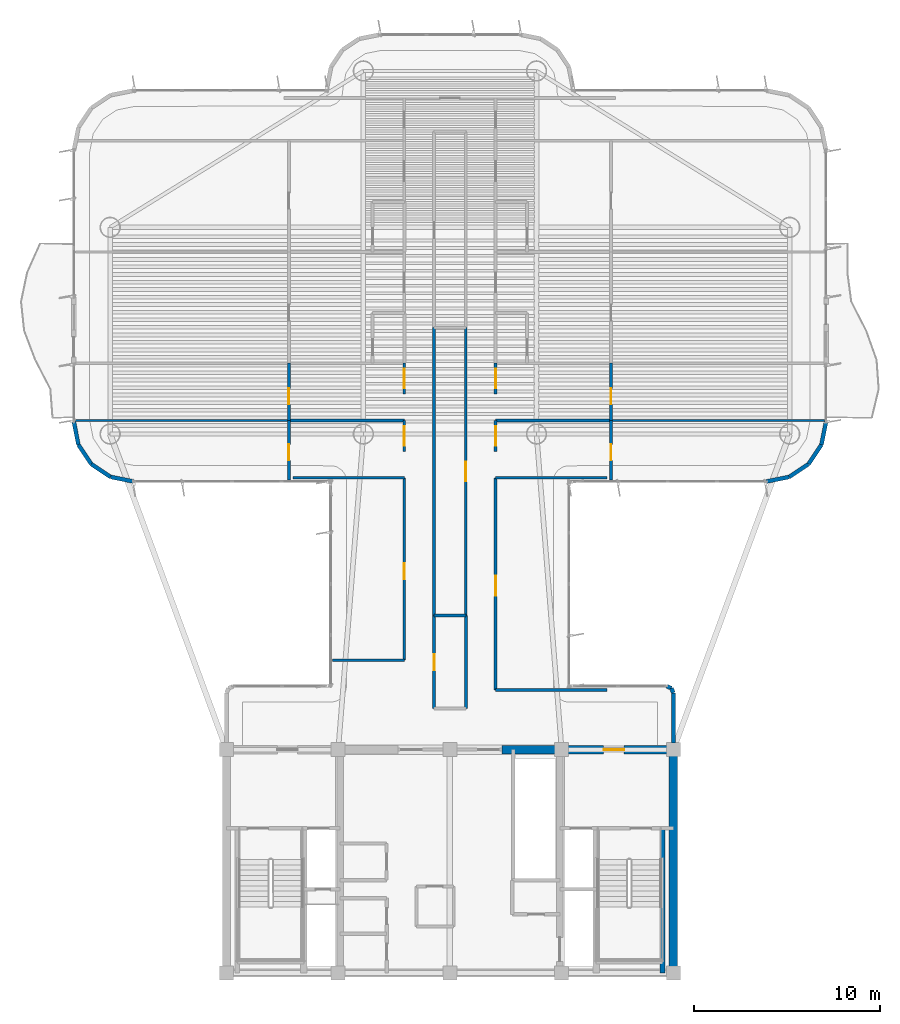
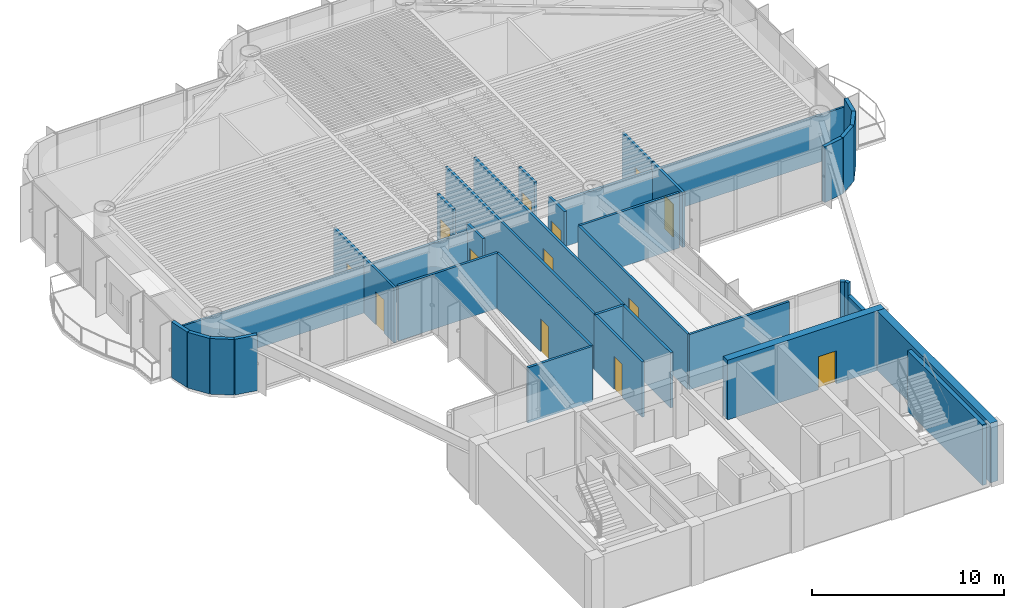
# One storey, part 10 of 15: 37 walls, 13 doors, 13 openings.
"""IFC4 building model written with IfcOpenShell, lengths in metres."""

import ifcopenshell
import ifcopenshell.guid

model = None  # the IFC model being written
_history = None  # IfcOwnerHistory: only IFC2X3 demands one
_inside = {}  # id of a spatial element -> (the spatial element, [elements in it])
_under = {}  # id of a project, library or spatial element -> (it, [spatial elements below it])
_declared = {}  # id of a project -> (the project, [libraries it declares])
_typed = {}  # id of a type object -> (the type object, [elements of that type])
_made_of = {}  # id of a material, layer set ... -> (it, [elements and type objects made of it])


def new_model(schema):
    """Start an empty IFC model of exactly this schema.

    Asked for "IFC4X3", IfcOpenShell would pick the latest addendum, in which some entities
    have other attributes; the version numbers below select the first issue.
    IFC2X3 requires an IfcOwnerHistory on every rooted entity: one is made here for all.
    """
    global model, _history
    if schema == "IFC4X3":
        model = ifcopenshell.file(schema_version=(4, 3, 0, 0))
    else:
        model = ifcopenshell.file(schema=schema)
    _inside.clear()
    _under.clear()
    _declared.clear()
    _typed.clear()
    _made_of.clear()
    _history = None
    if model.schema == "IFC2X3":
        org = make("IfcOrganization", Name="unknown")
        user = make(
            "IfcPersonAndOrganization",
            ThePerson=make("IfcPerson", FamilyName="unknown"),
            TheOrganization=org,
        )
        app = make(
            "IfcApplication",
            ApplicationDeveloper=org,
            Version="unknown",
            ApplicationFullName="unknown",
            ApplicationIdentifier="unknown",
        )
        _history = make(
            "IfcOwnerHistory",
            OwningUser=user,
            OwningApplication=app,
            ChangeAction="ADDED",
            CreationDate=0,
        )
    return model


def make(cls, **values):
    """One entity of the class cls with the attributes given. An attribute that is None is left unset."""
    return model.create_entity(
        cls, **{name: value for name, value in values.items() if value is not None}
    )


def rooted(cls, **values):
    """An entity with a GlobalId (a new one), such as an element, a storey or a relation."""
    return make(cls, GlobalId=ifcopenshell.guid.new(), OwnerHistory=_history, **values)


def si_unit(unit_type, name, prefix=None):
    """IfcSIUnit, for example si_unit("LENGTHUNIT", "METRE", prefix="MILLI")."""
    return make("IfcSIUnit", UnitType=unit_type, Prefix=prefix, Name=name)


def assignment(units):
    """IfcUnitAssignment: the units of a project."""
    return None if units is None else make("IfcUnitAssignment", Units=units)


def point(xyz):
    """IfcCartesianPoint."""
    return None if xyz is None else make("IfcCartesianPoint", Coordinates=xyz)


def direction(xyz):
    """IfcDirection."""
    return None if xyz is None else make("IfcDirection", DirectionRatios=xyz)


def frame(location, z_axis=None, x_axis=None):
    """IfcAxis2Placement3D, a coordinate frame: its origin and axes. An axis left out is left unset."""
    return make(
        "IfcAxis2Placement3D",
        Location=point(location),
        Axis=direction(z_axis),
        RefDirection=direction(x_axis),
    )


def frame_2d(location, x_axis=None):
    """IfcAxis2Placement2D, a coordinate frame in the plane: its origin and x axis."""
    return make(
        "IfcAxis2Placement2D", Location=point(location), RefDirection=direction(x_axis)
    )


def origin():
    """The frame at (0, 0, 0) with its axes left unset."""
    return frame((0.0, 0.0, 0.0))


def origin_2d():
    """The frame at (0, 0) in the plane with its x axis left unset."""
    return frame_2d((0.0, 0.0))


def place(relative_to, where):
    """IfcLocalPlacement: puts the frame where relative to a parent placement (None: the world)."""
    return make(
        "IfcLocalPlacement", PlacementRelTo=relative_to, RelativePlacement=where
    )


def context(
    kind, dimensions, precision=None, world=None, true_north=None, identifier=None
):
    """IfcGeometricRepresentationContext, for example the 3D "Model" context."""
    return make(
        "IfcGeometricRepresentationContext",
        ContextIdentifier=identifier,
        ContextType=kind,
        CoordinateSpaceDimension=dimensions,
        Precision=precision,
        WorldCoordinateSystem=world,
        TrueNorth=true_north,
    )


def subcontext(parent, identifier, kind, view, scale=None):
    """IfcGeometricRepresentationSubContext, for example "Body" below "Model"."""
    return make(
        "IfcGeometricRepresentationSubContext",
        ContextIdentifier=identifier,
        ContextType=kind,
        ParentContext=parent,
        TargetScale=scale,
        TargetView=view,
    )


def project(units=None, contexts=None):
    """IfcProject with its units and contexts."""
    return rooted(
        "IfcProject",
        Name="project",
        RepresentationContexts=contexts,
        UnitsInContext=assignment(units),
    )


def spatial(cls, under=None, at=None, **own):
    """A site, building, storey or space (cls), placed at a placement, below another one or the project."""
    s = rooted(cls, ObjectPlacement=at, **own)
    if under is not None:
        _under.setdefault(under.id(), (under, []))[1].append(s)
    return s


def profile(cls, at=None, kind="AREA", **sizes):
    """A parametric profile (cls). Its sizes go by their IFC names, for example OverallWidth=200.0."""
    return make(cls, ProfileType=kind, Position=at, **sizes)


def rectangle(**sizes):
    """IfcRectangleProfileDef."""
    return profile("IfcRectangleProfileDef", **sizes)


def extrude(swept, where, along, depth):
    """IfcExtrudedAreaSolid: the profile swept, set in the frame where, extruded along a direction by depth."""
    return make(
        "IfcExtrudedAreaSolid",
        SweptArea=swept,
        Position=where,
        ExtrudedDirection=direction(along),
        Depth=depth,
    )


def shape(context_of_items, identifier, shape_type, items):
    """IfcShapeRepresentation: the items that make up one representation, for example the "Body"."""
    return make(
        "IfcShapeRepresentation",
        ContextOfItems=context_of_items,
        RepresentationIdentifier=identifier,
        RepresentationType=shape_type,
        Items=items,
    )


def source(mapping_origin, context_of_items, identifier, shape_type, items):
    """IfcRepresentationMap: a shape defined once, which mapped items show again and again."""
    return make(
        "IfcRepresentationMap",
        MappingOrigin=mapping_origin,
        MappedRepresentation=shape(context_of_items, identifier, shape_type, items),
    )


def transform(
    local_origin,
    x_axis=None,
    y_axis=None,
    z_axis=None,
    scale=None,
    scale2=None,
    scale3=None,
    uniform=True,
):
    """IfcCartesianTransformationOperator3D, or its non-uniform kind. x_axis, y_axis, z_axis: its Axis1, 2, 3."""
    if uniform:
        return make(
            "IfcCartesianTransformationOperator3D",
            Axis1=direction(x_axis),
            Axis2=direction(y_axis),
            LocalOrigin=point(local_origin),
            Scale=scale,
            Axis3=direction(z_axis),
        )
    return make(
        "IfcCartesianTransformationOperator3DnonUniform",
        Axis1=direction(x_axis),
        Axis2=direction(y_axis),
        LocalOrigin=point(local_origin),
        Scale=scale,
        Axis3=direction(z_axis),
        Scale2=scale2,
        Scale3=scale3,
    )


def mapped(mapping_source, mapping_target):
    """IfcMappedItem: shows the shape of a source again, moved by a transform."""
    return make(
        "IfcMappedItem", MappingSource=mapping_source, MappingTarget=mapping_target
    )


def material(Name=None, Category=None):
    """IfcMaterial."""
    return make("IfcMaterial", Name=Name, Category=Category)


def layer(
    of_material, thickness, ventilated=None, Name=None, Category=None, Priority=None
):
    """IfcMaterialLayer: one layer of a wall or slab, of a material (None: an air gap)."""
    return make(
        "IfcMaterialLayer",
        Material=of_material,
        LayerThickness=thickness,
        IsVentilated=ventilated,
        Name=Name,
        Category=Category,
        Priority=Priority,
    )


def layer_set(layers, Name=None):
    """IfcMaterialLayerSet."""
    return make("IfcMaterialLayerSet", MaterialLayers=layers, LayerSetName=Name)


def made_of(thing, what):
    """Note that an element or type object is made of a material, layer set ...; save() writes the relation."""
    if what is not None:
        _made_of.setdefault(what.id(), (what, []))[1].append(thing)
    return thing


def type_object(cls, material=None, **own):
    """A type object (cls), such as IfcWallType, which elements share."""
    return made_of(rooted(cls, **own), material)


def element(
    cls,
    number,
    at=None,
    inside=None,
    cuts=None,
    type_object=None,
    material=None,
    context=None,
    identifier="Body",
    shape_type=None,
    held_by="IfcProductDefinitionShape",
    body=None,
    shapes=None,
    **own,
):
    """One element of the class cls, such as IfcWall. Its Tag is "e" and its number.

    at: its placement. inside: the storey or other place that contains it. cuts: it is an
    opening in that element (IfcRelVoidsElement). A single representation is given by context,
    identifier, shape_type and body (its items); several are given by shapes. held_by: the class
    of the entity that holds the representations. save() writes the other relations.
    """
    e = rooted(cls, Tag="e%d" % number, ObjectPlacement=at, **own)
    if body is not None:
        shapes = [shape(context, identifier, shape_type, body)]
    if shapes is not None:
        e.Representation = make(held_by, Representations=shapes)
    if inside is not None:
        _inside.setdefault(inside.id(), (inside, []))[1].append(e)
    if cuts is not None:
        rooted(
            "IfcRelVoidsElement", RelatingBuildingElement=cuts, RelatedOpeningElement=e
        )
    if type_object is not None:
        _typed.setdefault(type_object.id(), (type_object, []))[1].append(e)
    return made_of(e, material)


def fill(opening, filler):
    """IfcRelFillsElement: the door or window that sits in an opening."""
    return rooted(
        "IfcRelFillsElement",
        RelatingOpeningElement=opening,
        RelatedBuildingElement=filler,
    )


def aggregate(whole, parts):
    """IfcRelAggregates: a whole, such as a stair, and the parts it consists of."""
    return rooted("IfcRelAggregates", RelatingObject=whole, RelatedObjects=parts)


def save(model, path):
    """Write the relations noted so far, then the file.

    IfcRelAggregates (storeys below a building ...), IfcRelContainedInSpatialStructure (elements
    in a storey), IfcRelDefinesByType, IfcRelAssociatesMaterial and IfcRelDeclares: one each for
    every whole, place, type object, material and project.
    """
    for whole, parts in _under.values():
        aggregate(whole, parts)
    for where, things in _inside.values():
        rooted(
            "IfcRelContainedInSpatialStructure",
            RelatedElements=things,
            RelatingStructure=where,
        )
    for kind, things in _typed.values():
        rooted("IfcRelDefinesByType", RelatedObjects=things, RelatingType=kind)
    for what, things in _made_of.values():
        rooted("IfcRelAssociatesMaterial", RelatedObjects=things, RelatingMaterial=what)
    for by, libraries in _declared.values():
        rooted("IfcRelDeclares", RelatingContext=by, RelatedDefinitions=libraries)
    model.write(path)


model = new_model("IFC4")

# Units and contexts
model_context = context("Model", 3, precision=1e-05, world=origin(), true_north=direction((0.0, 1.0)))
body_context = subcontext(model_context, "Body", "Model", "MODEL_VIEW")
ifc_project = project(units=[si_unit("LENGTHUNIT", "METRE"), si_unit("AREAUNIT", "SQUARE_METRE"), si_unit("VOLUMEUNIT", "CUBIC_METRE"), si_unit("PLANEANGLEUNIT", "RADIAN"), si_unit("MASSUNIT", "GRAM", prefix="KILO")], contexts=[model_context])

# Site, building, storey
site_placement = place(None, origin())
site = spatial("IfcSite", under=ifc_project, at=site_placement, CompositionType="ELEMENT")
building_placement = place(site_placement, origin())
building = spatial("IfcBuilding", under=site, at=building_placement, Name="Brelvock Crest Care Tower", CompositionType="ELEMENT")
storey_placement = place(building_placement, frame((0.0, 0.0, 171.5400390625)))
storey = spatial("IfcBuildingStorey", under=building, at=storey_placement, Name="L43", CompositionType="ELEMENT", Elevation=171.5400390625)

# Wall
ifc_material_1 = material(Name="Concrete S65 (65 MPa)", Category="concrete")
ifc_layer_1 = layer(ifc_material_1, 0.449951171875, Name="WL-CS3")
ifc_layer_set_1 = layer_set([ifc_layer_1], Name="Concrete S65 (65 MPa)")
wall_type_1 = type_object("IfcWallType", Name="WL-CS3", PredefinedType="SHEAR", material=ifc_layer_set_1)
wall_1_placement = place(storey_placement, frame((48.0, 18.0, 0.0), z_axis=(0.0, 0.0, 1.0), x_axis=(0.0, -1.0, 0.0)))
element("IfcWall", 1, at=wall_1_placement, inside=storey, type_object=wall_type_1, Name="L43 Core East Shear Wall", PredefinedType="SHEAR", context=body_context, shape_type="SweptSolid", body=[
    extrude(rectangle(XDim=12.0, YDim=0.449951171875, at=frame_2d((6.0, 0.0))), origin(), (0.0, 0.0, 1.0), 3.780029296875),
])

# Wall, opening, door
wall_2_placement = place(storey_placement, frame((38.800048828125, 18.0, 0.0), z_axis=(0.0, 0.0, 1.0), x_axis=(1.0, 0.0, 0.0)))
wall_2 = element("IfcWall", 2, at=wall_2_placement, inside=storey, type_object=wall_type_1, Name="L43 Core North-East Shear Wall", PredefinedType="SHEAR", context=body_context, shape_type="SweptSolid", body=[
    extrude(rectangle(XDim=9.425048828125, YDim=0.449951171875, at=frame_2d((4.71240234375, 0.0))), origin(), (0.0, 0.0, 1.0), 3.780029296875),
])
opening_1_placement = place(wall_2_placement, frame((5.449951171875, 0.0, 0.0)))
opening_1 = element("IfcOpeningElement", 3, at=opening_1_placement, cuts=wall_2, Name="Opening FD-1", PredefinedType="OPENING", context=body_context, shape_type="SweptSolid", body=[
    extrude(rectangle(XDim=1.10009765625, YDim=2.10009765625, at=origin_2d()), frame((0.550048828125, 0.23486328125, 1.050048828125), z_axis=(0.0, -1.0, 0.0), x_axis=(1.0, 0.0, 0.0)), (0.0, 0.0, 1.0), 0.469970703125),
])
ifc_material_2 = material(Name="Steel Grade 350", Category="steel")
door_type_1 = type_object("IfcDoorType", Name="DR-FFL1", OperationType="NOTDEFINED", PredefinedType="DOOR", material=ifc_material_2)
shared_shape_1 = source(origin(), body_context, "Body", "SweptSolid", [
    extrude(rectangle(XDim=1.10009765625, YDim=2.10009765625, at=origin_2d()), frame((0.550048828125, 0.02490234375, 1.050048828125), z_axis=(0.0, -1.0, 0.0), x_axis=(1.0, 0.0, 0.0)), (0.0, 0.0, 1.0), 0.050048828125),
])
door_1_placement = place(opening_1_placement, origin())
door_1 = element("IfcDoor", 4, at=door_1_placement, inside=storey, type_object=door_type_1, Name="L43 Firefighting Lobby FFL-2 Exit Door", OperationType="SINGLE_SWING_RIGHT", OverallHeight=2.10009765625, OverallWidth=1.10009765625, PredefinedType="DOOR", context=body_context, shape_type="MappedRepresentation", body=[
    mapped(shared_shape_1, transform((0.0, 0.0, 0.0), x_axis=(1.0, 0.0, 0.0), y_axis=(0.0, 1.0, 0.0), z_axis=(0.0, 0.0, 1.0), scale=1.0)),
])
fill(opening_1, door_1)

# Walls
ifc_material_3 = material(Name="Concrete S80 (80 MPa)", Category="concrete")
ifc_layer_2 = layer(ifc_material_3, 0.25, Name="WL-CS6")
ifc_layer_set_2 = layer_set([ifc_layer_2], Name="Concrete S80 (80 MPa)")
wall_type_2 = type_object("IfcWallType", Name="WL-CS6", PredefinedType="SHEAR", material=ifc_layer_set_2)
wall_3_placement = place(storey_placement, frame((47.419921875, 6.0, 0.0), z_axis=(0.0, 0.0, 1.0), x_axis=(0.0, 1.0, 0.0)))
element("IfcWall", 5, at=wall_3_placement, inside=storey, type_object=wall_type_2, Name="L43 Core Stair ST-2 East Shear Wall", PredefinedType="SHEAR", context=body_context, shape_type="SweptSolid", body=[
    extrude(rectangle(XDim=7.780029296875, YDim=0.25, at=frame_2d((3.89013671875, 0.0))), origin(), (0.0, 0.0, 1.0), 3.849853515625),
])
ifc_material_4 = material(Name="Precast concrete N40 (40 MPa)", Category="concrete")
ifc_layer_3 = layer(ifc_material_4, 0.215087890625, Name="WL-EX2")
ifc_layer_set_3 = layer_set([ifc_layer_3], Name="Precast concrete N40 (40 MPa)")
wall_type_3 = type_object("IfcWallType", Name="WL-EX2", PredefinedType="SOLIDWALL", material=ifc_layer_set_3)
wall_4_placement = place(storey_placement, frame((47.8974609375, 21.297607421875, 0.0), z_axis=(0.0, 0.0, 1.0), x_axis=(0.382673670509, -0.923883575944, 0.0)))
element("IfcWall", 6, at=wall_4_placement, inside=storey, type_object=wall_type_3, Name="L43 Rounded Corner Wall 00", PredefinedType="SOLIDWALL", context=body_context, shape_type="SweptSolid", body=[
    extrude(rectangle(XDim=0.26806640625, YDim=0.215087890625, at=frame_2d((0.134033203125, 0.0))), origin(), (0.0, 0.0, 1.0), 3.530029296875),
])
wall_5_placement = place(storey_placement, frame((48.0, 21.050048828125, 0.0), z_axis=(0.0, 0.0, 1.0), x_axis=(0.0, -1.0, 0.0)))
element("IfcWall", 7, at=wall_5_placement, inside=storey, type_object=wall_type_3, Name="L43 Rounded Corner Wall 01", PredefinedType="SOLIDWALL", context=body_context, shape_type="SweptSolid", body=[
    extrude(rectangle(XDim=2.695068359375, YDim=0.215087890625, at=frame_2d((1.34765625, 0.0))), origin(), (0.0, 0.0, 1.0), 2.718017578125),
])
for number, where, z_axis, x_axis, name in (
    (8, (19.0, 32.39990234375, 0.0), (0.0, 0.0, 1.0), (-0.980775717779, 0.195138390419, 0.0), "L43 Rounded Corner Wall 13"),
    (9, (17.775390625, 32.6435546875, 0.0), (0.0, 0.0, 1.0), (-0.831387912822, 0.555692485475, 0.0), "L43 Rounded Corner Wall 14"),
    (10, (16.7373046875, 33.33740234375, 0.0), (0.0, 0.0, 1.0), (-0.555557312883, 0.831478245117, 0.0), "L43 Rounded Corner Wall 15"),
    (11, (16.043701171875, 34.37548828125, 0.0), (0.0, 0.0, 1.0), (-0.195138390419, 0.980775717779, 0.0), "L43 Rounded Corner Wall 16"),
    (12, (56.199951171875, 35.60009765625, 0.0), (0.0, 0.0, 1.0), (-0.195138390419, -0.980775717779, 0.0), "L43 Rounded Corner Wall 40"),
    (13, (55.956298828125, 34.37548828125, 0.0), (0.0, 0.0, 1.0), (-0.555557312883, -0.831478245117, 0.0), "L43 Rounded Corner Wall 41"),
    (14, (55.2626953125, 33.33740234375, 0.0), (0.0, 0.0, 1.0), (-0.831387912822, -0.555692485475, 0.0), "L43 Rounded Corner Wall 42"),
    (15, (54.224609375, 32.6435546875, 0.0), (0.0, 0.0, 1.0), (-0.980775717779, -0.195138390419, 0.0), "L43 Rounded Corner Wall 43"),
):
    element("IfcWall", number, at=place(storey_placement, frame(where, z_axis=z_axis, x_axis=x_axis)), inside=storey, type_object=wall_type_3, Name=name, PredefinedType="SOLIDWALL", context=body_context, shape_type="SweptSolid", body=[
        extrude(rectangle(XDim=1.24853515625, YDim=0.215087890625, at=frame_2d((0.624267578125, 0.0))), origin(), (0.0, 0.0, 1.0), 3.530029296875),
    ])
wall_6_placement = place(storey_placement, frame((47.64990234375, 21.39990234375, 0.0), z_axis=(0.0, 0.0, 1.0), x_axis=(0.924205486139, -0.381895560841, 0.0)))
element("IfcWall", 16, at=wall_6_placement, inside=storey, type_object=wall_type_3, Name="L43 Rounded Corner Wall 47", PredefinedType="SOLIDWALL", context=body_context, shape_type="SweptSolid", body=[
    extrude(rectangle(XDim=0.267822265625, YDim=0.215087890625, at=frame_2d((0.1337890625, 0.0))), origin(), (0.0, 0.0, 1.0), 3.530029296875),
])
ifc_material_5 = material(Name="Masonry Blockwork Acoustic Partition", Category="masonry")
ifc_layer_4 = layer(ifc_material_5, 0.14990234375, Name="WL-INT1")
ifc_layer_set_4 = layer_set([ifc_layer_4], Name="Masonry Blockwork Acoustic Partition")
wall_type_4 = type_object("IfcWallType", Name="WL-INT1", PredefinedType="PARTITIONING", material=ifc_layer_set_4)
wall_7_placement = place(storey_placement, frame((38.449951171875, 21.199951171875, 0.0), z_axis=(0.0, 0.0, 1.0), x_axis=(1.0, 0.0, 0.0)))
element("IfcWall", 17, at=wall_7_placement, inside=storey, type_object=wall_type_4, Name="L43 Interior Wall WL-BX-L43-THRE-S", PredefinedType="PARTITIONING", context=body_context, shape_type="SweptSolid", body=[
    extrude(rectangle(XDim=5.99267578125, YDim=0.14990234375, at=frame_2d((2.996337890625, 0.0))), origin(), (0.0, 0.0, 1.0), 3.5),
])
wall_8_placement = place(storey_placement, frame((29.6796875, 22.800048828125, 0.0), z_axis=(0.0, 0.0, 1.0), x_axis=(1.0, 0.0, 0.0)))
element("IfcWall", 18, at=wall_8_placement, inside=storey, type_object=wall_type_4, Name="L43 Interior Wall WL-BX-L43-THRW-S", PredefinedType="PARTITIONING", context=body_context, shape_type="SweptSolid", body=[
    extrude(rectangle(XDim=3.870361328125, YDim=0.14990234375, at=frame_2d((1.93505859375, 0.0))), origin(), (0.0, 0.0, 1.0), 3.5),
])
wall_9_placement = place(storey_placement, frame((27.55712890625, 32.60009765625, 0.0), z_axis=(0.0, 0.0, 1.0), x_axis=(1.0, 0.0, 0.0)))
element("IfcWall", 19, at=wall_9_placement, inside=storey, type_object=wall_type_4, Name="L43 Interior Wall WL-BX-L43-CS-WS1A-S", PredefinedType="PARTITIONING", context=body_context, shape_type="SweptSolid", body=[
    extrude(rectangle(XDim=5.992919921875, YDim=0.14990234375, at=frame_2d((2.99658203125, 0.0))), origin(), (0.0, 0.0, 1.0), 3.5),
])
wall_10_placement = place(storey_placement, frame((38.449951171875, 32.60009765625, 0.0), z_axis=(0.0, 0.0, 1.0), x_axis=(1.0, 0.0, 0.0)))
element("IfcWall", 20, at=wall_10_placement, inside=storey, type_object=wall_type_4, Name="L43 Interior Wall WL-BX-L43-CS-ES1A-S", PredefinedType="PARTITIONING", context=body_context, shape_type="SweptSolid", body=[
    extrude(rectangle(XDim=5.993408203125, YDim=0.14990234375, at=frame_2d((2.99658203125, 0.0))), origin(), (0.0, 0.0, 1.0), 3.5),
])
for number, where, z_axis, x_axis, name in (
    (21, (27.35009765625, 35.677001953125, 0.0), (0.0, 0.0, 1.0), (1.0, 0.0, 0.0), "L43 Interior Wall WL-BX-L43-CS-WS1A-N"),
    (22, (38.449951171875, 35.677001953125, 0.0), (0.0, 0.0, 1.0), (1.0, 0.0, 0.0), "L43 Interior Wall WL-BX-L43-CS-ES1A-N"),
):
    element("IfcWall", number, at=place(storey_placement, frame(where, z_axis=z_axis, x_axis=x_axis)), inside=storey, type_object=wall_type_4, Name=name, PredefinedType="PARTITIONING", context=body_context, shape_type="SweptSolid", body=[
        extrude(rectangle(XDim=6.199951171875, YDim=0.14990234375, at=frame_2d((3.10009765625, 0.0))), origin(), (0.0, 0.0, 1.0), 2.98193359375),
    ])

# Wall, opening, door
wall_11_placement = place(storey_placement, frame((27.35009765625, 32.47998046875, 0.0), z_axis=(0.0, 0.0, 1.0), x_axis=(0.0, 1.0, 0.0)))
wall_11 = element("IfcWall", 23, at=wall_11_placement, inside=storey, type_object=wall_type_4, Name="L43 Interior Wall WL-RM-L43-WS1AS", PredefinedType="PARTITIONING", context=body_context, shape_type="SweptSolid", body=[
    extrude(rectangle(XDim=3.197021484375, YDim=0.14990234375, at=frame_2d((1.5986328125, 0.0))), origin(), (0.0, 0.0, 1.0), 3.5),
])
opening_2_placement = place(wall_11_placement, frame((1.06005859375, 0.0, 0.0)))
opening_2 = element("IfcOpeningElement", 24, at=opening_2_placement, cuts=wall_11, Name="Opening ID-1", PredefinedType="OPENING", context=body_context, shape_type="SweptSolid", body=[
    extrude(rectangle(XDim=0.860107421875, YDim=2.10009765625, at=origin_2d()), frame((0.43017578125, 0.0849609375, 1.050048828125), z_axis=(0.0, -1.0, 0.0), x_axis=(1.0, 0.0, 0.0)), (0.0, 0.0, 1.0), 0.169921875),
])
ifc_material_6 = material(Name="Engineered Hardwood Timber", Category="wood")
door_type_2 = type_object("IfcDoorType", Name="DR-INT1", OperationType="NOTDEFINED", PredefinedType="DOOR", material=ifc_material_6)
shared_shape_2 = source(origin(), body_context, "Body", "SweptSolid", [
    extrude(rectangle(XDim=0.860107421875, YDim=2.10009765625, at=origin_2d()), frame((0.43017578125, 0.02490234375, 1.050048828125), z_axis=(0.0, -1.0, 0.0), x_axis=(1.0, 0.0, 0.0)), (0.0, 0.0, 1.0), 0.050048828125),
])
door_2_placement = place(opening_2_placement, origin())
door_2 = element("IfcDoor", 25, at=door_2_placement, inside=storey, type_object=door_type_2, Name="L43 Assisted Care Mobility Store Door WS1AS", OperationType="SINGLE_SWING_LEFT", OverallHeight=2.10009765625, OverallWidth=0.860107421875, PredefinedType="DOOR", context=body_context, shape_type="MappedRepresentation", body=[
    mapped(shared_shape_2, transform((0.0, 0.0, 0.0), x_axis=(1.0, 0.0, 0.0), y_axis=(0.0, 1.0, 0.0), z_axis=(0.0, 0.0, 1.0), scale=1.0)),
])
fill(opening_2, door_2)

wall_12_placement = place(storey_placement, frame((27.35009765625, 35.677001953125, 0.0), z_axis=(0.0, 0.0, 1.0), x_axis=(0.0, 1.0, 0.0)))
wall_12 = element("IfcWall", 26, at=wall_12_placement, inside=storey, type_object=wall_type_4, Name="L43 Interior Wall WL-RM-L43-WS1BS", PredefinedType="PARTITIONING", context=body_context, shape_type="SweptSolid", body=[
    extrude(rectangle(XDim=3.076904296875, YDim=0.14990234375, at=frame_2d((1.53857421875, 0.0))), origin(), (0.0, 0.0, 1.0), 3.5),
])
opening_3_placement = place(wall_12_placement, frame((0.863037109375, 0.0, 0.0)))
opening_3 = element("IfcOpeningElement", 27, at=opening_3_placement, cuts=wall_12, Name="Opening ID-1", PredefinedType="OPENING", context=body_context, shape_type="SweptSolid", body=[
    extrude(rectangle(XDim=0.860107421875, YDim=2.10009765625, at=origin_2d()), frame((0.43017578125, 0.0849609375, 1.050048828125), z_axis=(0.0, -1.0, 0.0), x_axis=(1.0, 0.0, 0.0)), (0.0, 0.0, 1.0), 0.169921875),
])
door_3_placement = place(opening_3_placement, origin())
door_3 = element("IfcDoor", 28, at=door_3_placement, inside=storey, type_object=door_type_2, Name="L43 Assisted Care Mobility Store Door WS1BS", OperationType="SINGLE_SWING_LEFT", OverallHeight=2.10009765625, OverallWidth=0.860107421875, PredefinedType="DOOR", context=body_context, shape_type="MappedRepresentation", body=[
    mapped(shared_shape_2, transform((0.0, 0.0, 0.0), x_axis=(1.0, 0.0, 0.0), y_axis=(0.0, 1.0, 0.0), z_axis=(0.0, 0.0, 1.0), scale=1.0)),
])
fill(opening_3, door_3)

wall_13_placement = place(storey_placement, frame((33.550048828125, 22.800048828125, 0.0), z_axis=(0.0, 0.0, 1.0), x_axis=(0.0, 1.0, 0.0)))
wall_13 = element("IfcWall", 29, at=wall_13_placement, inside=storey, type_object=wall_type_4, Name="L43 Interior Wall WL-RM-L43-THRW", PredefinedType="PARTITIONING", context=body_context, shape_type="SweptSolid", body=[
    extrude(rectangle(XDim=9.800048828125, YDim=0.14990234375, at=frame_2d((4.89990234375, 0.0))), origin(), (0.0, 0.0, 1.0), 3.5),
])
opening_4_placement = place(wall_13_placement, frame((4.340087890625, 0.0, 0.0)))
opening_4 = element("IfcOpeningElement", 30, at=opening_4_placement, cuts=wall_13, Name="Opening ID-1", PredefinedType="OPENING", context=body_context, shape_type="SweptSolid", body=[
    extrude(rectangle(XDim=0.860107421875, YDim=2.10009765625, at=origin_2d()), frame((0.43017578125, 0.0849609375, 1.050048828125), z_axis=(0.0, -1.0, 0.0), x_axis=(1.0, 0.0, 0.0)), (0.0, 0.0, 1.0), 0.169921875),
])
door_4_placement = place(opening_4_placement, origin())
door_4 = element("IfcDoor", 31, at=door_4_placement, inside=storey, type_object=door_type_2, Name="L43 Quiet Family Consultation Room Door THRW", OperationType="SINGLE_SWING_LEFT", OverallHeight=2.10009765625, OverallWidth=0.860107421875, PredefinedType="DOOR", context=body_context, shape_type="MappedRepresentation", body=[
    mapped(shared_shape_2, transform((0.0, 0.0, 0.0), x_axis=(1.0, 0.0, 0.0), y_axis=(0.0, 1.0, 0.0), z_axis=(0.0, 0.0, 1.0), scale=1.0)),
])
fill(opening_4, door_4)

wall_14_placement = place(storey_placement, frame((33.550048828125, 34.02001953125, 0.0), z_axis=(0.0, 0.0, 1.0), x_axis=(0.0, 1.0, 0.0)))
wall_14 = element("IfcWall", 32, at=wall_14_placement, inside=storey, type_object=wall_type_4, Name="L43 Interior Wall WL-CENT-L43-WS1A", PredefinedType="PARTITIONING", context=body_context, shape_type="SweptSolid", body=[
    extrude(rectangle(XDim=1.656982421875, YDim=0.14990234375, at=frame_2d((0.82861328125, 0.0))), origin(), (0.0, 0.0, 1.0), 3.5),
])
opening_5_placement = place(wall_14_placement, frame((0.30810546875, 0.0, 0.0)))
opening_5 = element("IfcOpeningElement", 33, at=opening_5_placement, cuts=wall_14, Name="Opening CD-1", PredefinedType="OPENING", context=body_context, shape_type="SweptSolid", body=[
    extrude(rectangle(XDim=1.050048828125, YDim=2.10009765625, at=origin_2d()), frame((0.52490234375, 0.0849609375, 1.050048828125), z_axis=(0.0, -1.0, 0.0), x_axis=(1.0, 0.0, 0.0)), (0.0, 0.0, 1.0), 0.169921875),
])
door_type_3 = type_object("IfcDoorType", Name="DR-CARE1", OperationType="NOTDEFINED", PredefinedType="DOOR", material=ifc_material_6)
shared_shape_3 = source(origin(), body_context, "Body", "SweptSolid", [
    extrude(rectangle(XDim=1.050048828125, YDim=2.10009765625, at=origin_2d()), frame((0.52490234375, 0.02490234375, 1.050048828125), z_axis=(0.0, -1.0, 0.0), x_axis=(1.0, 0.0, 0.0)), (0.0, 0.0, 1.0), 0.050048828125),
])
door_5_placement = place(opening_5_placement, origin())
door_5 = element("IfcDoor", 34, at=door_5_placement, inside=storey, type_object=door_type_3, Name="L43 Care Suite Door WS1A", OperationType="SINGLE_SWING_LEFT", OverallHeight=2.10009765625, OverallWidth=1.050048828125, PredefinedType="DOOR", context=body_context, shape_type="MappedRepresentation", body=[
    mapped(shared_shape_3, transform((0.0, 0.0, 0.0), x_axis=(1.0, 0.0, 0.0), y_axis=(0.0, 1.0, 0.0), z_axis=(0.0, 0.0, 1.0), scale=1.0)),
])
fill(opening_5, door_5)

wall_15_placement = place(storey_placement, frame((33.550048828125, 37.096923828125, 0.0), z_axis=(0.0, 0.0, 1.0), x_axis=(0.0, 1.0, 0.0)))
wall_15 = element("IfcWall", 35, at=wall_15_placement, inside=storey, type_object=wall_type_4, Name="L43 Interior Wall WL-CENT-L43-WS1B", PredefinedType="PARTITIONING", context=body_context, shape_type="SweptSolid", body=[
    extrude(rectangle(XDim=1.656982421875, YDim=0.14990234375, at=frame_2d((0.82861328125, 0.0))), origin(), (0.0, 0.0, 1.0), 3.5),
])
opening_6_placement = place(wall_15_placement, frame((0.30810546875, 0.0, 0.0)))
opening_6 = element("IfcOpeningElement", 36, at=opening_6_placement, cuts=wall_15, Name="Opening CD-1", PredefinedType="OPENING", context=body_context, shape_type="SweptSolid", body=[
    extrude(rectangle(XDim=1.050048828125, YDim=2.10009765625, at=origin_2d()), frame((0.52490234375, 0.0849609375, 1.050048828125), z_axis=(0.0, -1.0, 0.0), x_axis=(1.0, 0.0, 0.0)), (0.0, 0.0, 1.0), 0.169921875),
])
door_6_placement = place(opening_6_placement, origin())
door_6 = element("IfcDoor", 37, at=door_6_placement, inside=storey, type_object=door_type_3, Name="L43 Care Suite Door WS1B", OperationType="SINGLE_SWING_LEFT", OverallHeight=2.10009765625, OverallWidth=1.050048828125, PredefinedType="DOOR", context=body_context, shape_type="MappedRepresentation", body=[
    mapped(shared_shape_3, transform((0.0, 0.0, 0.0), x_axis=(1.0, 0.0, 0.0), y_axis=(0.0, 1.0, 0.0), z_axis=(0.0, 0.0, 1.0), scale=1.0)),
])
fill(opening_6, door_6)

# Wall
wall_16_placement = place(storey_placement, frame((35.14990234375, 25.199951171875, 0.0), z_axis=(0.0, 0.0, 1.0), x_axis=(0.0, 1.0, 0.0)))
element("IfcWall", 38, at=wall_16_placement, inside=storey, type_object=wall_type_4, Name="L43 Interior Wall WL-BX-L43-ISNS-W", PredefinedType="PARTITIONING", context=body_context, shape_type="SweptSolid", body=[
    extrude(rectangle(XDim=15.4599609375, YDim=0.14990234375, at=frame_2d((7.72998046875, 0.0))), origin(), (0.0, 0.0, 1.0), 3.5),
])

# Wall, opening, door
wall_17_placement = place(storey_placement, frame((36.85009765625, 25.199951171875, 0.0), z_axis=(0.0, 0.0, 1.0), x_axis=(0.0, 1.0, 0.0)))
wall_17 = element("IfcWall", 39, at=wall_17_placement, inside=storey, type_object=wall_type_4, Name="L43 Interior Wall WL-RM-L43-ISNS", PredefinedType="PARTITIONING", context=body_context, shape_type="SweptSolid", body=[
    extrude(rectangle(XDim=15.4599609375, YDim=0.14990234375, at=frame_2d((7.72998046875, 0.0))), origin(), (0.0, 0.0, 1.0), 3.5),
])
opening_7_placement = place(wall_17_placement, frame((7.205078125, 0.0, 0.0)))
opening_7 = element("IfcOpeningElement", 40, at=opening_7_placement, cuts=wall_17, Name="Opening CLD-1", PredefinedType="OPENING", context=body_context, shape_type="SweptSolid", body=[
    extrude(rectangle(XDim=1.050048828125, YDim=2.10009765625, at=origin_2d()), frame((0.52490234375, 0.0849609375, 1.050048828125), z_axis=(0.0, -1.0, 0.0), x_axis=(1.0, 0.0, 0.0)), (0.0, 0.0, 1.0), 0.169921875),
])
door_type_4 = type_object("IfcDoorType", Name="DR-CLN1", OperationType="NOTDEFINED", PredefinedType="DOOR", material=ifc_material_6)
shared_shape_4 = source(origin(), body_context, "Body", "SweptSolid", [
    extrude(rectangle(XDim=1.050048828125, YDim=2.10009765625, at=origin_2d()), frame((0.52490234375, 0.02490234375, 1.050048828125), z_axis=(0.0, -1.0, 0.0), x_axis=(1.0, 0.0, 0.0)), (0.0, 0.0, 1.0), 0.050048828125),
])
door_7_placement = place(opening_7_placement, origin())
door_7 = element("IfcDoor", 41, at=door_7_placement, inside=storey, type_object=door_type_4, Name="L43 Care Concierge and Triage Station Door ISNS", OperationType="SINGLE_SWING_LEFT", OverallHeight=2.10009765625, OverallWidth=1.050048828125, PredefinedType="DOOR", context=body_context, shape_type="MappedRepresentation", body=[
    mapped(shared_shape_4, transform((0.0, 0.0, 0.0), x_axis=(1.0, 0.0, 0.0), y_axis=(0.0, 1.0, 0.0), z_axis=(0.0, 0.0, 1.0), scale=1.0)),
])
fill(opening_7, door_7)

wall_18_placement = place(storey_placement, frame((38.449951171875, 21.199951171875, 0.0), z_axis=(0.0, 0.0, 1.0), x_axis=(0.0, 1.0, 0.0)))
wall_18 = element("IfcWall", 42, at=wall_18_placement, inside=storey, type_object=wall_type_4, Name="L43 Interior Wall WL-RM-L43-THRE", PredefinedType="PARTITIONING", context=body_context, shape_type="SweptSolid", body=[
    extrude(rectangle(XDim=11.400146484375, YDim=0.14990234375, at=frame_2d((5.7001953125, 0.0))), origin(), (0.0, 0.0, 1.0), 3.5),
])
opening_8_placement = place(wall_18_placement, frame((5.074951171875, 0.0, 0.0)))
opening_8 = element("IfcOpeningElement", 43, at=opening_8_placement, cuts=wall_18, Name="Opening CLD-1", PredefinedType="OPENING", context=body_context, shape_type="SweptSolid", body=[
    extrude(rectangle(XDim=1.050048828125, YDim=2.10009765625, at=origin_2d()), frame((0.52490234375, 0.0849609375, 1.050048828125), z_axis=(0.0, -1.0, 0.0), x_axis=(1.0, 0.0, 0.0)), (0.0, 0.0, 1.0), 0.169921875),
])
door_8_placement = place(opening_8_placement, origin())
door_8 = element("IfcDoor", 44, at=door_8_placement, inside=storey, type_object=door_type_4, Name="L43 Allied Health Therapy Room Door THRE", OperationType="SINGLE_SWING_LEFT", OverallHeight=2.10009765625, OverallWidth=1.050048828125, PredefinedType="DOOR", context=body_context, shape_type="MappedRepresentation", body=[
    mapped(shared_shape_4, transform((0.0, 0.0, 0.0), x_axis=(1.0, 0.0, 0.0), y_axis=(0.0, 1.0, 0.0), z_axis=(0.0, 0.0, 1.0), scale=1.0)),
])
fill(opening_8, door_8)

wall_19_placement = place(storey_placement, frame((38.449951171875, 34.02001953125, 0.0), z_axis=(0.0, 0.0, 1.0), x_axis=(0.0, 1.0, 0.0)))
wall_19 = element("IfcWall", 45, at=wall_19_placement, inside=storey, type_object=wall_type_4, Name="L43 Interior Wall WL-CENT-L43-ES1A", PredefinedType="PARTITIONING", context=body_context, shape_type="SweptSolid", body=[
    extrude(rectangle(XDim=1.656982421875, YDim=0.14990234375, at=frame_2d((0.82861328125, 0.0))), origin(), (0.0, 0.0, 1.0), 3.5),
])
opening_9_placement = place(wall_19_placement, frame((0.30810546875, 0.0, 0.0)))
opening_9 = element("IfcOpeningElement", 46, at=opening_9_placement, cuts=wall_19, Name="Opening CD-1", PredefinedType="OPENING", context=body_context, shape_type="SweptSolid", body=[
    extrude(rectangle(XDim=1.050048828125, YDim=2.10009765625, at=origin_2d()), frame((0.52490234375, 0.0849609375, 1.050048828125), z_axis=(0.0, -1.0, 0.0), x_axis=(1.0, 0.0, 0.0)), (0.0, 0.0, 1.0), 0.169921875),
])
door_9_placement = place(opening_9_placement, origin())
door_9 = element("IfcDoor", 47, at=door_9_placement, inside=storey, type_object=door_type_3, Name="L43 Care Suite Door ES1A", OperationType="SINGLE_SWING_LEFT", OverallHeight=2.10009765625, OverallWidth=1.050048828125, PredefinedType="DOOR", context=body_context, shape_type="MappedRepresentation", body=[
    mapped(shared_shape_3, transform((0.0, 0.0, 0.0), x_axis=(1.0, 0.0, 0.0), y_axis=(0.0, 1.0, 0.0), z_axis=(0.0, 0.0, 1.0), scale=1.0)),
])
fill(opening_9, door_9)

wall_20_placement = place(storey_placement, frame((38.449951171875, 37.096923828125, 0.0), z_axis=(0.0, 0.0, 1.0), x_axis=(0.0, 1.0, 0.0)))
wall_20 = element("IfcWall", 48, at=wall_20_placement, inside=storey, type_object=wall_type_4, Name="L43 Interior Wall WL-CENT-L43-ES1B", PredefinedType="PARTITIONING", context=body_context, shape_type="SweptSolid", body=[
    extrude(rectangle(XDim=1.656982421875, YDim=0.14990234375, at=frame_2d((0.82861328125, 0.0))), origin(), (0.0, 0.0, 1.0), 3.5),
])
opening_10_placement = place(wall_20_placement, frame((0.30810546875, 0.0, 0.0)))
opening_10 = element("IfcOpeningElement", 49, at=opening_10_placement, cuts=wall_20, Name="Opening CD-1", PredefinedType="OPENING", context=body_context, shape_type="SweptSolid", body=[
    extrude(rectangle(XDim=1.050048828125, YDim=2.10009765625, at=origin_2d()), frame((0.52490234375, 0.0849609375, 1.050048828125), z_axis=(0.0, -1.0, 0.0), x_axis=(1.0, 0.0, 0.0)), (0.0, 0.0, 1.0), 0.169921875),
])
door_10_placement = place(opening_10_placement, origin())
door_10 = element("IfcDoor", 50, at=door_10_placement, inside=storey, type_object=door_type_3, Name="L43 Care Suite Door ES1B", OperationType="SINGLE_SWING_LEFT", OverallHeight=2.10009765625, OverallWidth=1.050048828125, PredefinedType="DOOR", context=body_context, shape_type="MappedRepresentation", body=[
    mapped(shared_shape_3, transform((0.0, 0.0, 0.0), x_axis=(1.0, 0.0, 0.0), y_axis=(0.0, 1.0, 0.0), z_axis=(0.0, 0.0, 1.0), scale=1.0)),
])
fill(opening_10, door_10)

wall_21_placement = place(storey_placement, frame((44.64990234375, 32.47998046875, 0.0), z_axis=(0.0, 0.0, 1.0), x_axis=(0.0, 1.0, 0.0)))
wall_21 = element("IfcWall", 51, at=wall_21_placement, inside=storey, type_object=wall_type_4, Name="L43 Interior Wall WL-RM-L43-ES1AS", PredefinedType="PARTITIONING", context=body_context, shape_type="SweptSolid", body=[
    extrude(rectangle(XDim=3.197021484375, YDim=0.14990234375, at=frame_2d((1.5986328125, 0.0))), origin(), (0.0, 0.0, 1.0), 3.5),
])
opening_11_placement = place(wall_21_placement, frame((1.06005859375, 0.0, 0.0)))
opening_11 = element("IfcOpeningElement", 52, at=opening_11_placement, cuts=wall_21, Name="Opening ID-1", PredefinedType="OPENING", context=body_context, shape_type="SweptSolid", body=[
    extrude(rectangle(XDim=0.860107421875, YDim=2.10009765625, at=origin_2d()), frame((0.43017578125, 0.0849609375, 1.050048828125), z_axis=(0.0, -1.0, 0.0), x_axis=(1.0, 0.0, 0.0)), (0.0, 0.0, 1.0), 0.169921875),
])
door_11_placement = place(opening_11_placement, origin())
door_11 = element("IfcDoor", 53, at=door_11_placement, inside=storey, type_object=door_type_2, Name="L43 Assisted Care Mobility Store Door ES1AS", OperationType="SINGLE_SWING_LEFT", OverallHeight=2.10009765625, OverallWidth=0.860107421875, PredefinedType="DOOR", context=body_context, shape_type="MappedRepresentation", body=[
    mapped(shared_shape_2, transform((0.0, 0.0, 0.0), x_axis=(1.0, 0.0, 0.0), y_axis=(0.0, 1.0, 0.0), z_axis=(0.0, 0.0, 1.0), scale=1.0)),
])
fill(opening_11, door_11)

wall_22_placement = place(storey_placement, frame((44.64990234375, 35.677001953125, 0.0), z_axis=(0.0, 0.0, 1.0), x_axis=(0.0, 1.0, 0.0)))
wall_22 = element("IfcWall", 54, at=wall_22_placement, inside=storey, type_object=wall_type_4, Name="L43 Interior Wall WL-RM-L43-ES1BS", PredefinedType="PARTITIONING", context=body_context, shape_type="SweptSolid", body=[
    extrude(rectangle(XDim=3.076904296875, YDim=0.14990234375, at=frame_2d((1.53857421875, 0.0))), origin(), (0.0, 0.0, 1.0), 3.5),
])
opening_12_placement = place(wall_22_placement, frame((0.863037109375, 0.0, 0.0)))
opening_12 = element("IfcOpeningElement", 55, at=opening_12_placement, cuts=wall_22, Name="Opening ID-1", PredefinedType="OPENING", context=body_context, shape_type="SweptSolid", body=[
    extrude(rectangle(XDim=0.860107421875, YDim=2.10009765625, at=origin_2d()), frame((0.43017578125, 0.0849609375, 1.050048828125), z_axis=(0.0, -1.0, 0.0), x_axis=(1.0, 0.0, 0.0)), (0.0, 0.0, 1.0), 0.169921875),
])
door_12_placement = place(opening_12_placement, origin())
door_12 = element("IfcDoor", 56, at=door_12_placement, inside=storey, type_object=door_type_2, Name="L43 Assisted Care Mobility Store Door ES1BS", OperationType="SINGLE_SWING_LEFT", OverallHeight=2.10009765625, OverallWidth=0.860107421875, PredefinedType="DOOR", context=body_context, shape_type="MappedRepresentation", body=[
    mapped(shared_shape_2, transform((0.0, 0.0, 0.0), x_axis=(1.0, 0.0, 0.0), y_axis=(0.0, 1.0, 0.0), z_axis=(0.0, 0.0, 1.0), scale=1.0)),
])
fill(opening_12, door_12)

# Walls
ifc_material_7 = material(Name="Gypsum Plasterboard Partition", Category="gypsum")
ifc_layer_5 = layer(ifc_material_7, 0.1201171875, Name="WL-INT2")
ifc_layer_set_5 = layer_set([ifc_layer_5], Name="Gypsum Plasterboard Partition")
wall_type_5 = type_object("IfcWallType", Name="WL-INT2", PredefinedType="PARTITIONING", material=ifc_layer_set_5)
for number, where, z_axis, x_axis, name in (
    (57, (15.8798828125, 35.677001953125, 0.0), (0.0, 0.0, 1.0), (1.0, 0.0, 0.0), "L43 Interior Wall WL-BX-L43-WS1AS-N"),
    (58, (44.64990234375, 35.677001953125, 0.0), (0.0, 0.0, 1.0), (1.0, 0.0, 0.0), "L43 Interior Wall WL-BX-L43-ES1AS-N"),
):
    element("IfcWall", number, at=place(storey_placement, frame(where, z_axis=z_axis, x_axis=x_axis)), inside=storey, type_object=wall_type_5, Name=name, PredefinedType="PARTITIONING", context=body_context, shape_type="SweptSolid", body=[
        extrude(rectangle(XDim=11.47021484375, YDim=0.1201171875, at=frame_2d((5.735107421875, 0.0))), origin(), (0.0, 0.0, 1.0), 2.98193359375),
    ])
ifc_layer_6 = layer(ifc_material_7, 0.159912109375, Name="WL-PLM1")
ifc_layer_set_6 = layer_set([ifc_layer_6], Name="Gypsum Plasterboard Partition")
wall_type_6 = type_object("IfcWallType", Name="WL-PLM1", PredefinedType="PLUMBINGWALL", material=ifc_layer_set_6)
wall_23_placement = place(storey_placement, frame((35.14990234375, 25.199951171875, 0.0), z_axis=(0.0, 0.0, 1.0), x_axis=(1.0, 0.0, 0.0)))
element("IfcWall", 59, at=wall_23_placement, inside=storey, type_object=wall_type_6, Name="L43 Interior Wall WL-BX-L43-ISNS-S", PredefinedType="PLUMBINGWALL", context=body_context, shape_type="SweptSolid", body=[
    extrude(rectangle(XDim=1.7001953125, YDim=0.159912109375, at=frame_2d((0.85009765625, 0.0))), origin(), (0.0, 0.0, 1.0), 3.5),
])

# Wall, opening, door
wall_24_placement = place(storey_placement, frame((35.14990234375, 20.199951171875, 0.0), z_axis=(0.0, 0.0, 1.0), x_axis=(0.0, 1.0, 0.0)))
wall_24 = element("IfcWall", 60, at=wall_24_placement, inside=storey, type_object=wall_type_6, Name="L43 Interior Wall WL-RM-L43-ISWC", PredefinedType="PLUMBINGWALL", context=body_context, shape_type="SweptSolid", body=[
    extrude(rectangle(XDim=5.0, YDim=0.159912109375, at=frame_2d((2.5, 0.0))), origin(), (0.0, 0.0, 1.0), 3.5),
])
opening_13_placement = place(wall_24_placement, frame((2.070068359375, 0.0, 0.0)))
opening_13 = element("IfcOpeningElement", 61, at=opening_13_placement, cuts=wall_24, Name="Opening WD-1", PredefinedType="OPENING", context=body_context, shape_type="SweptSolid", body=[
    extrude(rectangle(XDim=0.860107421875, YDim=2.10009765625, at=origin_2d()), frame((0.43017578125, 0.08984375, 1.050048828125), z_axis=(0.0, -1.0, 0.0), x_axis=(1.0, 0.0, 0.0)), (0.0, 0.0, 1.0), 0.179931640625),
])
door_type_5 = type_object("IfcDoorType", Name="DR-WC1", OperationType="NOTDEFINED", PredefinedType="DOOR", material=ifc_material_6)
shared_shape_5 = source(origin(), body_context, "Body", "SweptSolid", [
    extrude(rectangle(XDim=0.860107421875, YDim=2.10009765625, at=origin_2d()), frame((0.43017578125, 0.02490234375, 1.050048828125), z_axis=(0.0, -1.0, 0.0), x_axis=(1.0, 0.0, 0.0)), (0.0, 0.0, 1.0), 0.050048828125),
])
door_13_placement = place(opening_13_placement, origin())
door_13 = element("IfcDoor", 62, at=door_13_placement, inside=storey, type_object=door_type_5, Name="L43 High-Zone Accessible WC Door ISWC", OperationType="SINGLE_SWING_LEFT", OverallHeight=2.10009765625, OverallWidth=0.860107421875, PredefinedType="DOOR", context=body_context, shape_type="MappedRepresentation", body=[
    mapped(shared_shape_5, transform((0.0, 0.0, 0.0), x_axis=(1.0, 0.0, 0.0), y_axis=(0.0, 1.0, 0.0), z_axis=(0.0, 0.0, 1.0), scale=1.0)),
])
fill(opening_13, door_13)

# Wall
wall_25_placement = place(storey_placement, frame((36.85009765625, 20.199951171875, 0.0), z_axis=(0.0, 0.0, 1.0), x_axis=(0.0, 1.0, 0.0)))
element("IfcWall", 63, at=wall_25_placement, inside=storey, type_object=wall_type_6, Name="L43 Interior Wall WL-BX-L43-ISWC-E", PredefinedType="PLUMBINGWALL", context=body_context, shape_type="SweptSolid", body=[
    extrude(rectangle(XDim=5.0, YDim=0.159912109375, at=frame_2d((2.5, 0.0))), origin(), (0.0, 0.0, 1.0), 3.5),
])

save(model, "model.ifc")
